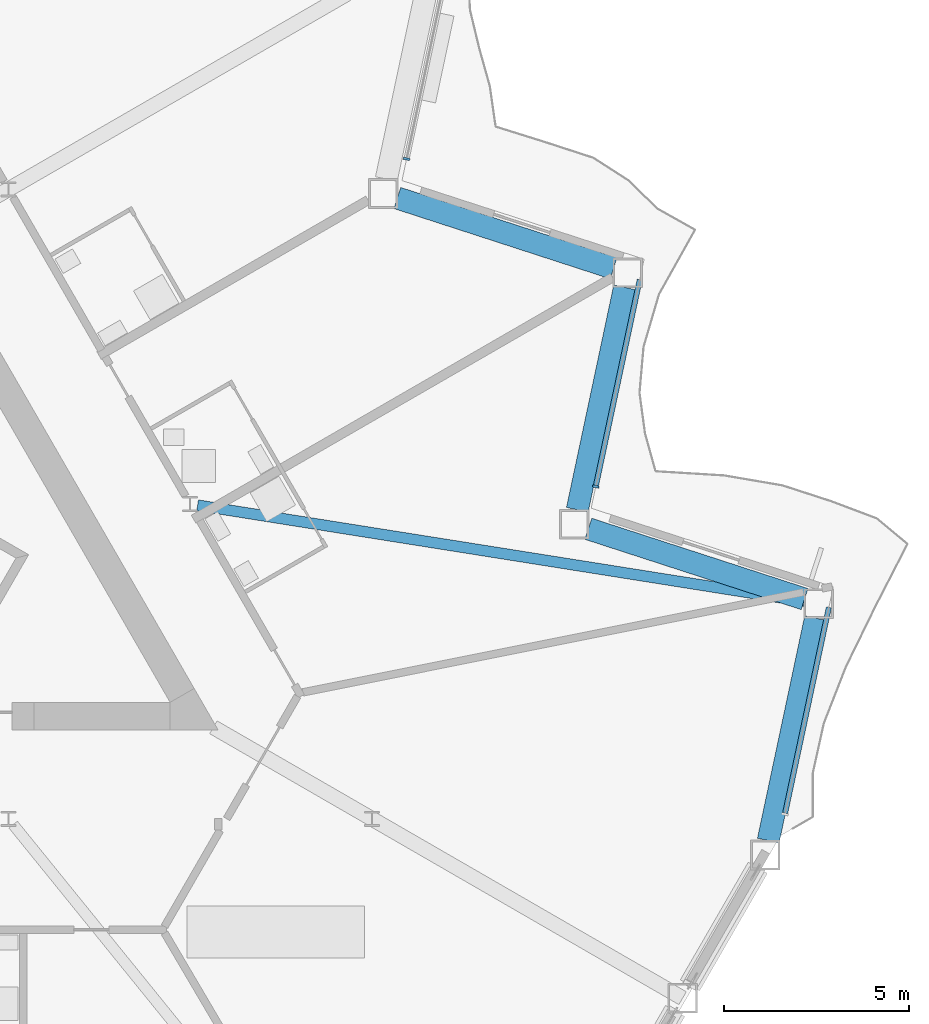
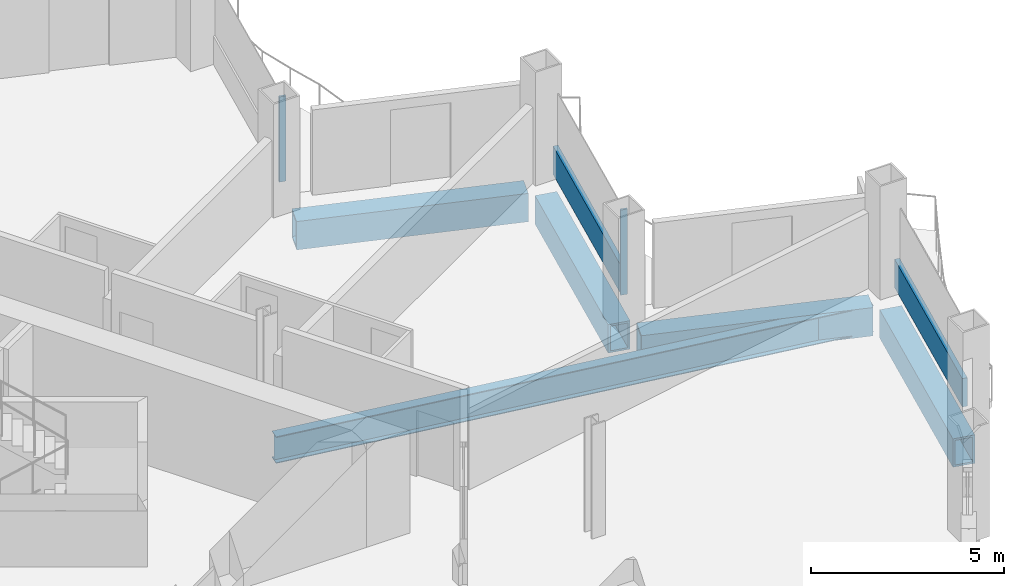
# One storey, part 6 of 23: 5 beams, 4 members, 3 elements without a shape of their own.
"""IFC4 building model written with IfcOpenShell, lengths in metres."""

from ifc_helpers import new_model, si_unit, direction, frame, origin, origin_2d, place, context, subcontext, project, spatial, rectangle, hollow_rectangle, i_section, extrude, material, layer, layer_set, material_profile, profile_set, type_object, element, aggregate, save


model = new_model("IFC4")

# Units and contexts
model_context = context("Model", 3, precision=1e-05, world=origin(), true_north=direction((0.0, 1.0)))
body_context = subcontext(model_context, "Body", "Model", "MODEL_VIEW")
ifc_project = project(units=[si_unit("LENGTHUNIT", "METRE"), si_unit("AREAUNIT", "SQUARE_METRE"), si_unit("VOLUMEUNIT", "CUBIC_METRE"), si_unit("PLANEANGLEUNIT", "RADIAN"), si_unit("MASSUNIT", "GRAM", prefix="KILO")], contexts=[model_context])

# Site, building, storey
site_placement = place(None, origin())
site = spatial("IfcSite", under=ifc_project, at=site_placement, CompositionType="ELEMENT")
building_placement = place(site_placement, origin())
building = spatial("IfcBuilding", under=site, at=building_placement, Name="Cormorant Prow Tower", CompositionType="ELEMENT")
storey_placement = place(building_placement, frame((0.0, 0.0, 169.199951171875)))
storey = spatial("IfcBuildingStorey", under=building, at=storey_placement, Name="L35", CompositionType="ELEMENT", Elevation=169.199951171875)

# Beams
ifc_material_1 = material(Name="Structural steel ASTM A572 Gr 50", Category="steel")
ifc_material_profile_1 = material_profile(ifc_material_1, hollow_rectangle(XDim=0.60009765625, YDim=0.89990234375, WallThickness=0.06005859375, at=origin_2d()), Name="Box 900x600x60")
ifc_profile_set_1 = profile_set([ifc_material_profile_1], Name="Structural steel ASTM A572 Gr 50")
beam_type_1 = type_object("IfcBeamType", Name="Belt truss top chord 900x600x60", PredefinedType="BEAM", material=ifc_profile_set_1)
beam_1_placement = place(storey_placement, frame((30.377197265625, -11.93701171875, -0.800048828125), z_axis=(0.207904811195, 0.978149063018, 0.0), x_axis=(-0.978149063018, 0.207904811195, 0.0)))
element("IfcBeam", 1, at=beam_1_placement, inside=storey, type_object=beam_type_1, Name="Belt truss top chord TC2 ENE00-ENE01 L35", PredefinedType="BEAM", context=body_context, shape_type="SweptSolid", body=[
    extrude(hollow_rectangle(XDim=0.60009765625, YDim=0.89990234375, WallThickness=0.06005859375, at=origin_2d()), origin(), (0.0, 0.0, 1.0), 6.149658203125),
])
beam_2_placement = place(storey_placement, frame((31.358642578125, -5.40673828125, -0.800048828125), z_axis=(-0.951057696564, 0.309013361859, 0.0), x_axis=(-0.309013361859, -0.951057696564, 0.0)))
element("IfcBeam", 2, at=beam_2_placement, inside=storey, type_object=beam_type_1, Name="Belt truss top chord TC2 ENE01-ENE02 L35", PredefinedType="BEAM", context=body_context, shape_type="SweptSolid", body=[
    extrude(hollow_rectangle(XDim=0.60009765625, YDim=0.89990234375, WallThickness=0.06005859375, at=origin_2d()), origin(), (0.0, 0.0, 1.0), 6.14990234375),
])
beam_3_placement = place(storey_placement, frame((25.21240234375, -2.991455078125, -0.800048828125), z_axis=(0.207904811195, 0.978149063018, 0.0), x_axis=(-0.978149063018, 0.207904811195, 0.0)))
element("IfcBeam", 3, at=beam_3_placement, inside=storey, type_object=beam_type_1, Name="Belt truss top chord TC2 ENE02-ENE03 L35", PredefinedType="BEAM", context=body_context, shape_type="SweptSolid", body=[
    extrude(hollow_rectangle(XDim=0.60009765625, YDim=0.89990234375, WallThickness=0.06005859375, at=origin_2d()), origin(), (0.0, 0.0, 1.0), 6.149658203125),
])
beam_4_placement = place(storey_placement, frame((26.19384765625, 3.538818359375, -0.800048828125), z_axis=(-0.951057696564, 0.309013361859, 0.0), x_axis=(-0.309013361859, -0.951057696564, 0.0)))
element("IfcBeam", 4, at=beam_4_placement, inside=storey, type_object=beam_type_1, Name="Belt truss top chord TC2 ENE03-ENE04 L35", PredefinedType="BEAM", context=body_context, shape_type="SweptSolid", body=[
    extrude(hollow_rectangle(XDim=0.60009765625, YDim=0.89990234375, WallThickness=0.06005859375, at=origin_2d()), origin(), (0.0, 0.0, 1.0), 6.14990234375),
])

# Curtain wall, member
ifc_material_2 = material(Name="Aluminium 6063-T6", Category="aluminium")
ifc_layer = layer(ifc_material_2, 0.179931640625)
ifc_layer_set = layer_set([ifc_layer], Name="Aluminium 6063-T6")
curtain_wall_type = type_object("IfcCurtainWallType", Name="Hotel unitised curtain wall 180", PredefinedType="NOTDEFINED", material=ifc_layer_set)
curtain_wall_1_placement = place(storey_placement, origin())
curtain_wall_1 = element("IfcCurtainWall", 5, at=curtain_wall_1_placement, inside=storey, type_object=curtain_wall_type, Name="Hotel curtain wall ENE02", PredefinedType="NOTDEFINED")
ifc_material_3 = material(Name="Aluminium 6063-T6", Category="aluminium")
ifc_material_profile_2 = material_profile(ifc_material_3, rectangle(XDim=0.179931640625, YDim=0.06005859375, at=origin_2d()), Name="Hotel mullion 60x180")
ifc_profile_set_2 = profile_set([ifc_material_profile_2], Name="Aluminium 6063-T6")
member_type_1 = type_object("IfcMemberType", Name="Hotel mullion 60x180", PredefinedType="MULLION", material=ifc_profile_set_2)
member_1_placement = place(storey_placement, frame((25.711181640625, -2.36376953125, 0.0), z_axis=(0.0, 0.0, 1.0), x_axis=(-0.97814762227, 0.207911589496, 0.0)))
member_1 = element("IfcMember", 6, at=member_1_placement, type_object=member_type_1, Name="Hotel mullion ENE02", PredefinedType="MULLION", context=body_context, shape_type="SweptSolid", body=[
    extrude(rectangle(XDim=0.179931640625, YDim=0.06005859375, at=origin_2d()), origin(), (0.0, 0.0, 1.0), 2.700927734375),
])

curtain_wall_2_placement = place(storey_placement, origin())
curtain_wall_2 = element("IfcCurtainWall", 7, at=curtain_wall_2_placement, inside=storey, type_object=curtain_wall_type, Name="Hotel curtain wall ENE04", PredefinedType="NOTDEFINED")
member_2_placement = place(storey_placement, frame((20.595458984375, 6.496826171875, 0.0), z_axis=(0.0, 0.0, 1.0), x_axis=(-0.97814759901, 0.207911698927, 0.0)))
member_2 = element("IfcMember", 8, at=member_2_placement, type_object=member_type_1, Name="Hotel mullion ENE04", PredefinedType="MULLION", context=body_context, shape_type="SweptSolid", body=[
    extrude(rectangle(XDim=0.179931640625, YDim=0.06005859375, at=origin_2d()), origin(), (0.0, 0.0, 1.0), 2.700927734375),
])
aggregate(curtain_wall_2, [member_2])

curtain_wall_3_placement = place(storey_placement, origin())
curtain_wall_3 = element("IfcCurtainWall", 9, at=curtain_wall_3_placement, inside=storey, type_object=curtain_wall_type, Name="Hotel curtain wall ENE00", PredefinedType="NOTDEFINED")
ifc_material_4 = material(Name="Terracotta", Category="masonry")
ifc_material_profile_3 = material_profile(ifc_material_4, rectangle(XDim=0.139892578125, YDim=0.89990234375, at=origin_2d()), Name="Hotel terracotta spandrel rail 140x900")
ifc_profile_set_3 = profile_set([ifc_material_profile_3], Name="Terracotta")
member_type_2 = type_object("IfcMemberType", Name="Hotel terracotta spandrel rail 140x900", PredefinedType="USERDEFINED", material=ifc_profile_set_3)
member_3_placement = place(storey_placement, frame((30.8330078125, -11.195068359375, 0.449951171875), z_axis=(0.207922412597, 0.978145321688, 0.0), x_axis=(-0.978145321688, 0.207922412597, 0.0)))
member_3 = element("IfcMember", 10, at=member_3_placement, type_object=member_type_2, Name="Hotel spandrel rail ENE00", ObjectType="TRANSOM", PredefinedType="USERDEFINED", context=body_context, shape_type="SweptSolid", body=[
    extrude(rectangle(XDim=0.139892578125, YDim=0.89990234375, at=origin_2d()), origin(), (0.0, 0.0, 1.0), 5.687744140625),
])
aggregate(curtain_wall_3, [member_3])

# Member
member_4_placement = place(storey_placement, frame((25.71728515625, -2.33447265625, 0.449951171875), z_axis=(0.207922412597, 0.978145321688, 0.0), x_axis=(-0.978145321688, 0.207922412597, 0.0)))
member_4 = element("IfcMember", 11, at=member_4_placement, type_object=member_type_2, Name="Hotel spandrel rail ENE02", ObjectType="TRANSOM", PredefinedType="USERDEFINED", context=body_context, shape_type="SweptSolid", body=[
    extrude(rectangle(XDim=0.139892578125, YDim=0.89990234375, at=origin_2d()), origin(), (0.0, 0.0, 1.0), 5.687744140625),
])

aggregate(curtain_wall_1, [member_1, member_4])

# Beam
ifc_material_5 = material(Name="Structural steel ASTM A992 Gr 50", Category="steel")
ifc_material_profile_4 = material_profile(ifc_material_5, i_section(OverallWidth=0.29296875, OverallDepth=0.845703125, WebThickness=0.015380859375, FlangeThickness=0.0244140625, at=origin_2d()), Name="W33x141")
ifc_profile_set_4 = profile_set([ifc_material_profile_4], Name="Structural steel ASTM A992 Gr 50")
beam_type_2 = type_object("IfcBeamType", Name="Radial floor beam W33x141", PredefinedType="BEAM", material=ifc_profile_set_4)
beam_5_placement = place(storey_placement, frame((14.94384765625, -2.869140625, -0.77294921875), z_axis=(0.987678058302, -0.156499371084, 0.0), x_axis=(0.156499371084, 0.987678058302, 0.0)))
element("IfcBeam", 12, at=beam_5_placement, inside=storey, type_object=beam_type_2, Name="Radial floor beam FB2 10 L35", PredefinedType="BEAM", context=body_context, shape_type="SweptSolid", body=[
    extrude(i_section(OverallWidth=0.29296875, OverallDepth=0.845703125, WebThickness=0.015380859375, FlangeThickness=0.0244140625, at=origin_2d()), origin(), (0.0, 0.0, 1.0), 16.604736328125),
])

save(model, "model.ifc")
